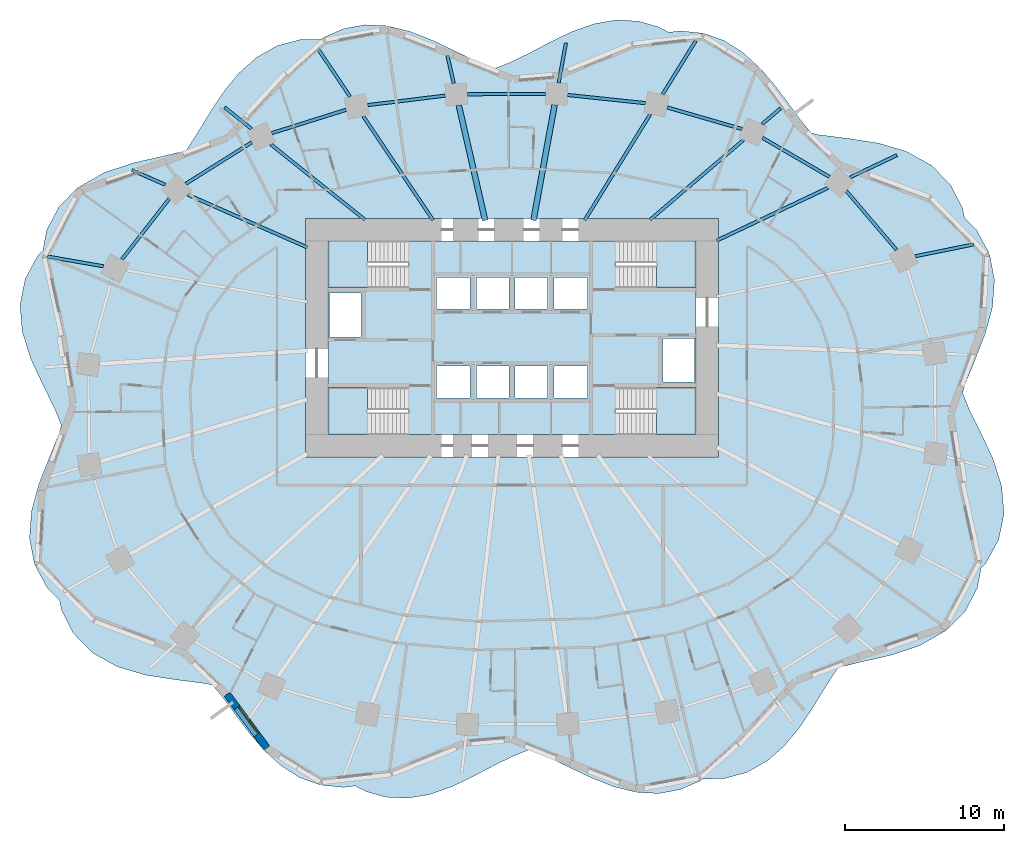
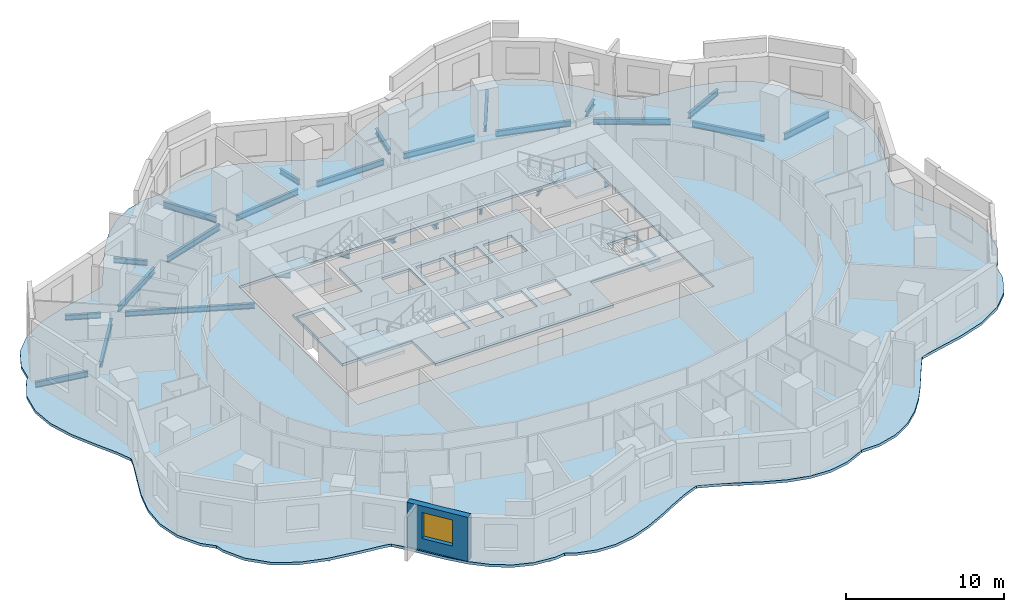
# One storey, part 2 of 11: 27 beams, 6 slabs, 1 wall, 1 window, 1 opening, 4 elements without a shape of their own.
"""IFC4 building model written with IfcOpenShell, lengths in metres."""

from ifc_helpers import new_model, si_unit, direction, frame, frame_2d, origin, origin_2d, place, context, subcontext, project, spatial, polyline, rectangle, i_section, outline, extrude, material, layer, layer_set, material_profile, profile_set, type_object, element, fill, aggregate, save


model = new_model("IFC4")

# Units and contexts
model_context = context("Model", 3, precision=1e-05, world=origin(), true_north=direction((0.0, 1.0)))
body_context = subcontext(model_context, "Body", "Model", "MODEL_VIEW")
ifc_project = project(units=[si_unit("LENGTHUNIT", "METRE"), si_unit("AREAUNIT", "SQUARE_METRE"), si_unit("VOLUMEUNIT", "CUBIC_METRE"), si_unit("PLANEANGLEUNIT", "RADIAN"), si_unit("MASSUNIT", "GRAM", prefix="KILO")], contexts=[model_context])

# Site, building, storey
site_placement = place(None, origin())
site = spatial("IfcSite", under=ifc_project, at=site_placement, CompositionType="ELEMENT")
building_placement = place(site_placement, origin())
building = spatial("IfcBuilding", under=site, at=building_placement, Name="Rubra Terraces Tower", CompositionType="ELEMENT")
storey_placement = place(building_placement, frame((0.0, 0.0, 51.89990234375)))
storey = spatial("IfcBuildingStorey", under=building, at=storey_placement, Name="L10", CompositionType="ELEMENT", Elevation=51.89990234375)

# Beams
ifc_material_1 = material(Name="Steel Q355B", Category="steel")
ifc_material_profile_1 = material_profile(ifc_material_1, i_section(OverallWidth=0.199951171875, OverallDepth=0.39990234375, WebThickness=0.008056640625, FlangeThickness=0.012939453125, at=origin_2d()), Name="HN 400x200x8x13")
ifc_profile_set_1 = profile_set([ifc_material_profile_1], Name="Steel Q355B")
beam_type_1 = type_object("IfcBeamType", Name="CANTILEVER BEAM HN 400x200x8x13", PredefinedType="BEAM", material=ifc_profile_set_1)
beam_1_placement = place(storey_placement, frame((15.7509765625, 17.947998046875, -0.39990234375), z_axis=(0.760484850261, 0.649355674899, 0.0), x_axis=(-0.649355674899, 0.760484850261, 0.0)))
element("IfcBeam", 1, at=beam_1_placement, inside=storey, type_object=beam_type_1, Name="beam-L10-cant-04", PredefinedType="BEAM", context=body_context, shape_type="SweptSolid", body=[
    extrude(i_section(OverallWidth=0.199951171875, OverallDepth=0.39990234375, WebThickness=0.008056640625, FlangeThickness=0.012939453125, at=origin_2d()), origin(), (0.0, 0.0, 1.0), 1.513671875),
])
beam_2_placement = place(storey_placement, frame((2.93798828125, 20.549072265625, -0.39990234375), z_axis=(0.180303125533, 0.983611093331, 0.0), x_axis=(-0.983611093331, 0.180303125533, 0.0)))
element("IfcBeam", 2, at=beam_2_placement, inside=storey, type_object=beam_type_1, Name="beam-L10-cant-06", PredefinedType="BEAM", context=body_context, shape_type="SweptSolid", body=[
    extrude(i_section(OverallWidth=0.199951171875, OverallDepth=0.39990234375, WebThickness=0.008056640625, FlangeThickness=0.012939453125, at=origin_2d()), origin(), (0.0, 0.0, 1.0), 2.545654296875),
])
beam_3_placement = place(storey_placement, frame((-3.6669921875, 20.514892578125, -0.39990234375), z_axis=(-0.223203108367, 0.974771959186, 0.0), x_axis=(-0.974771959186, -0.223203108367, 0.0)))
element("IfcBeam", 3, at=beam_3_placement, inside=storey, type_object=beam_type_1, Name="beam-L10-cant-07", PredefinedType="BEAM", context=body_context, shape_type="SweptSolid", body=[
    extrude(i_section(OverallWidth=0.199951171875, OverallDepth=0.39990234375, WebThickness=0.008056640625, FlangeThickness=0.012939453125, at=origin_2d()), origin(), (0.0, 0.0, 1.0), 1.787353515625),
])
beam_4_placement = place(storey_placement, frame((-16.408935546875, 17.654052734375, -0.39990234375), z_axis=(-0.780327416177, 0.625371188625, 0.0), x_axis=(-0.625371188625, -0.780327416177, 0.0)))
element("IfcBeam", 4, at=beam_4_placement, inside=storey, type_object=beam_type_1, Name="beam-L10-cant-09", PredefinedType="BEAM", context=body_context, shape_type="SweptSolid", body=[
    extrude(i_section(OverallWidth=0.199951171875, OverallDepth=0.39990234375, WebThickness=0.008056640625, FlangeThickness=0.012939453125, at=origin_2d()), origin(), (0.0, 0.0, 1.0), 2.156982421875),
])
beam_5_placement = place(storey_placement, frame((-21.8369140625, 14.1259765625, -0.39990234375), z_axis=(-0.914895766245, 0.403690149629, 0.0), x_axis=(-0.403690149629, -0.914895766245, 0.0)))
element("IfcBeam", 5, at=beam_5_placement, inside=storey, type_object=beam_type_1, Name="beam-L10-cant-10", PredefinedType="BEAM", context=body_context, shape_type="SweptSolid", body=[
    extrude(i_section(OverallWidth=0.199951171875, OverallDepth=0.39990234375, WebThickness=0.008056640625, FlangeThickness=0.012939453125, at=origin_2d()), origin(), (0.0, 0.0, 1.0), 2.28662109375),
])
ifc_material_profile_2 = material_profile(ifc_material_1, i_section(OverallWidth=0.198974609375, OverallDepth=0.446044921875, WebThickness=0.008056640625, FlangeThickness=0.011962890625, at=origin_2d()), Name="HN 446x199x8x12")
ifc_profile_set_2 = profile_set([ifc_material_profile_2], Name="Steel Q355B")
beam_type_2 = type_object("IfcBeamType", Name="CANTILEVER BEAM HN 446x199x8x12", PredefinedType="BEAM", material=ifc_profile_set_2)
beam_6_placement = place(storey_placement, frame((21.2958984375, 14.595947265625, -0.4228515625), z_axis=(0.903635481557, 0.428302365708, 0.0), x_axis=(-0.428302365708, 0.903635481557, 0.0)))
element("IfcBeam", 6, at=beam_6_placement, inside=storey, type_object=beam_type_2, Name="beam-L10-cant-03", PredefinedType="BEAM", context=body_context, shape_type="SweptSolid", body=[
    extrude(i_section(OverallWidth=0.198974609375, OverallDepth=0.446044921875, WebThickness=0.008056640625, FlangeThickness=0.011962890625, at=origin_2d()), origin(), (0.0, 0.0, 1.0), 3.2548828125),
])
beam_7_placement = place(storey_placement, frame((-25.722900390625, 8.991943359375, -0.4228515625), z_axis=(-0.98512271321, 0.171852378274, 0.0), x_axis=(-0.171852378274, -0.98512271321, 0.0)))
element("IfcBeam", 7, at=beam_7_placement, inside=storey, type_object=beam_type_2, Name="beam-L10-cant-11", PredefinedType="BEAM", context=body_context, shape_type="SweptSolid", body=[
    extrude(i_section(OverallWidth=0.198974609375, OverallDepth=0.446044921875, WebThickness=0.008056640625, FlangeThickness=0.011962890625, at=origin_2d()), origin(), (0.0, 0.0, 1.0), 3.567138671875),
])
ifc_material_profile_3 = material_profile(ifc_material_1, i_section(OverallWidth=0.198974609375, OverallDepth=0.49609375, WebThickness=0.009033203125, FlangeThickness=0.013916015625, at=origin_2d()), Name="HN 496x199x9x14")
ifc_profile_set_3 = profile_set([ifc_material_profile_3], Name="Steel Q355B")
beam_type_3 = type_object("IfcBeamType", Name="CANTILEVER BEAM HN 496x199x9x14", PredefinedType="BEAM", material=ifc_profile_set_3)
beam_8_placement = place(storey_placement, frame((25.39599609375, 9.6279296875, -0.447998046875), z_axis=(0.980177704415, 0.198120336582, 0.0), x_axis=(-0.198120336582, 0.980177704415, 0.0)))
element("IfcBeam", 8, at=beam_8_placement, inside=storey, type_object=beam_type_3, Name="beam-L10-cant-02", PredefinedType="BEAM", context=body_context, shape_type="SweptSolid", body=[
    extrude(i_section(OverallWidth=0.198974609375, OverallDepth=0.49609375, WebThickness=0.009033203125, FlangeThickness=0.013916015625, at=origin_2d()), origin(), (0.0, 0.0, 1.0), 3.770751953125),
])
beam_9_placement = place(storey_placement, frame((9.488037109375, 19.827880859375, -0.447998046875), z_axis=(0.526262905652, 0.850321912063, 0.0), x_axis=(-0.850321912063, 0.526262905652, 0.0)))
element("IfcBeam", 9, at=beam_9_placement, inside=storey, type_object=beam_type_3, Name="beam-L10-cant-05", PredefinedType="BEAM", context=body_context, shape_type="SweptSolid", body=[
    extrude(i_section(OverallWidth=0.198974609375, OverallDepth=0.49609375, WebThickness=0.009033203125, FlangeThickness=0.013916015625, at=origin_2d()), origin(), (0.0, 0.0, 1.0), 3.94091796875),
])
beam_10_placement = place(storey_placement, frame((-10.199951171875, 19.68310546875, -0.447998046875), z_axis=(-0.557568984544, 0.830130608684, 0.0), x_axis=(-0.830130608684, -0.557568984544, 0.0)))
element("IfcBeam", 10, at=beam_10_placement, inside=storey, type_object=beam_type_3, Name="beam-L10-cant-08", PredefinedType="BEAM", context=body_context, shape_type="SweptSolid", body=[
    extrude(i_section(OverallWidth=0.198974609375, OverallDepth=0.49609375, WebThickness=0.009033203125, FlangeThickness=0.013916015625, at=origin_2d()), origin(), (0.0, 0.0, 1.0), 3.72705078125),
])
ifc_material_profile_4 = material_profile(ifc_material_1, i_section(OverallWidth=0.199951171875, OverallDepth=0.39990234375, WebThickness=0.008056640625, FlangeThickness=0.012939453125, at=origin_2d()), Name="HN 400x200x8x13")
ifc_profile_set_4 = profile_set([ifc_material_profile_4], Name="Steel Q355B")
beam_type_4 = type_object("IfcBeamType", Name="FLOOR BEAM HN 400x200x8x13", PredefinedType="BEAM", material=ifc_profile_set_4)
beam_11_placement = place(storey_placement, frame((19.904052734375, 13.93603515625, -0.39990234375), z_axis=(-0.903612237836, -0.428351402045, 0.0), x_axis=(0.428351402045, -0.903612237836, 0.0)))
element("IfcBeam", 11, at=beam_11_placement, inside=storey, type_object=beam_type_4, Name="beam-L10-floor-03", PredefinedType="BEAM", context=body_context, shape_type="SweptSolid", body=[
    extrude(i_section(OverallWidth=0.199951171875, OverallDepth=0.39990234375, WebThickness=0.008056640625, FlangeThickness=0.012939453125, at=origin_2d()), origin(), (0.0, 0.0, 1.0), 7.760009765625),
])
beam_12_placement = place(storey_placement, frame((14.56298828125, 16.93408203125, -0.39990234375), z_axis=(-0.760494401061, -0.649344489431, 0.0), x_axis=(0.649344489431, -0.760494401061, 0.0)))
element("IfcBeam", 12, at=beam_12_placement, inside=storey, type_object=beam_type_4, Name="beam-L10-floor-04", PredefinedType="BEAM", context=body_context, shape_type="SweptSolid", body=[
    extrude(i_section(OverallWidth=0.199951171875, OverallDepth=0.39990234375, WebThickness=0.008056640625, FlangeThickness=0.012939453125, at=origin_2d()), origin(), (0.0, 0.0, 1.0), 7.718505859375),
])
beam_13_placement = place(storey_placement, frame((8.699951171875, 18.555908203125, -0.39990234375), z_axis=(-0.526285914839, -0.850307671283, 0.0), x_axis=(0.850307671283, -0.526285914839, 0.0)))
element("IfcBeam", 13, at=beam_13_placement, inside=storey, type_object=beam_type_4, Name="beam-L10-floor-05", PredefinedType="BEAM", context=body_context, shape_type="SweptSolid", body=[
    extrude(i_section(OverallWidth=0.199951171875, OverallDepth=0.39990234375, WebThickness=0.008056640625, FlangeThickness=0.012939453125, at=origin_2d()), origin(), (0.0, 0.0, 1.0), 7.830078125),
])
beam_14_placement = place(storey_placement, frame((-9.360107421875, 18.43310546875, -0.39990234375), z_axis=(0.557574689395, -0.830126776912, 0.0), x_axis=(0.830126776912, 0.557574689395, 0.0)))
element("IfcBeam", 14, at=beam_14_placement, inside=storey, type_object=beam_type_4, Name="beam-L10-floor-08", PredefinedType="BEAM", context=body_context, shape_type="SweptSolid", body=[
    extrude(i_section(OverallWidth=0.199951171875, OverallDepth=0.39990234375, WebThickness=0.008056640625, FlangeThickness=0.012939453125, at=origin_2d()), origin(), (0.0, 0.0, 1.0), 7.8701171875),
])
beam_15_placement = place(storey_placement, frame((-15.18896484375, 16.676025390625, -0.39990234375), z_axis=(0.780266406942, -0.625447307291, 0.0), x_axis=(0.625447307291, 0.780266406942, 0.0)))
element("IfcBeam", 15, at=beam_15_placement, inside=storey, type_object=beam_type_4, Name="beam-L10-floor-09", PredefinedType="BEAM", context=body_context, shape_type="SweptSolid", body=[
    extrude(i_section(OverallWidth=0.199951171875, OverallDepth=0.39990234375, WebThickness=0.008056640625, FlangeThickness=0.012939453125, at=origin_2d()), origin(), (0.0, 0.0, 1.0), 7.59619140625),
])
beam_16_placement = place(storey_placement, frame((-20.43310546875, 13.508056640625, -0.39990234375), z_axis=(0.914994662209, -0.4034659442, 0.0), x_axis=(0.4034659442, 0.914994662209, 0.0)))
element("IfcBeam", 16, at=beam_16_placement, inside=storey, type_object=beam_type_4, Name="beam-L10-floor-10", PredefinedType="BEAM", context=body_context, shape_type="SweptSolid", body=[
    extrude(i_section(OverallWidth=0.199951171875, OverallDepth=0.39990234375, WebThickness=0.008056640625, FlangeThickness=0.012939453125, at=origin_2d()), origin(), (0.0, 0.0, 1.0), 8.243896484375),
])
ifc_material_profile_5 = material_profile(ifc_material_1, i_section(OverallWidth=0.35009765625, OverallDepth=0.35009765625, WebThickness=0.011962890625, FlangeThickness=0.01904296875, at=origin_2d()), Name="HW 350x350x12x19")
ifc_profile_set_5 = profile_set([ifc_material_profile_5], Name="Steel Q355B")
beam_type_5 = type_object("IfcBeamType", Name="FLOOR BEAM HW 350x350x12x19", PredefinedType="BEAM", material=ifc_profile_set_5)
beam_17_placement = place(storey_placement, frame((2.68408203125, 19.158935546875, -0.375), z_axis=(-0.180186319425, -0.983632497578, 0.0), x_axis=(0.983632497578, -0.180186319425, 0.0)))
element("IfcBeam", 17, at=beam_17_placement, inside=storey, type_object=beam_type_5, Name="beam-L10-floor-06", PredefinedType="BEAM", context=body_context, shape_type="SweptSolid", body=[
    extrude(i_section(OverallWidth=0.35009765625, OverallDepth=0.35009765625, WebThickness=0.011962890625, FlangeThickness=0.01904296875, at=origin_2d()), origin(), (0.0, 0.0, 1.0), 7.39794921875),
])
beam_18_placement = place(storey_placement, frame((-3.35107421875, 19.133056640625, -0.375), z_axis=(0.223209821828, -0.974770421914, 0.0), x_axis=(0.974770421914, 0.223209821828, 0.0)))
element("IfcBeam", 18, at=beam_18_placement, inside=storey, type_object=beam_type_5, Name="beam-L10-floor-07", PredefinedType="BEAM", context=body_context, shape_type="SweptSolid", body=[
    extrude(i_section(OverallWidth=0.35009765625, OverallDepth=0.35009765625, WebThickness=0.011962890625, FlangeThickness=0.01904296875, at=origin_2d()), origin(), (0.0, 0.0, 1.0), 7.437744140625),
])
ifc_material_profile_6 = material_profile(ifc_material_1, i_section(OverallWidth=0.198974609375, OverallDepth=0.446044921875, WebThickness=0.008056640625, FlangeThickness=0.011962890625, at=origin_2d()), Name="HN 446x199x8x12")
ifc_profile_set_6 = profile_set([ifc_material_profile_6], Name="Steel Q355B")
beam_type_6 = type_object("IfcBeamType", Name="SPANDREL BEAM HN 446x199x8x12", PredefinedType="SPANDREL", material=ifc_profile_set_6)
beam_19_placement = place(storey_placement, frame((24.212890625, 10.02587890625, -0.4228515625), z_axis=(-0.648447050824, 0.761259760054, 0.0), x_axis=(-0.761259760054, -0.648447050824, 0.0)))
element("IfcBeam", 19, at=beam_19_placement, inside=storey, type_object=beam_type_6, Name="beam-L10-spandrel-02", PredefinedType="SPANDREL", context=body_context, shape_type="SweptSolid", body=[
    extrude(i_section(OverallWidth=0.198974609375, OverallDepth=0.446044921875, WebThickness=0.008056640625, FlangeThickness=0.011962890625, at=origin_2d()), origin(), (0.0, 0.0, 1.0), 4.860595703125),
])
beam_20_placement = place(storey_placement, frame((19.987060546875, 14.6240234375, -0.4228515625), z_axis=(-0.863806081452, 0.503824427402, 0.0), x_axis=(-0.503824427402, -0.863806081452, 0.0)))
element("IfcBeam", 20, at=beam_20_placement, inside=storey, type_object=beam_type_6, Name="beam-L10-spandrel-03", PredefinedType="SPANDREL", context=body_context, shape_type="SweptSolid", body=[
    extrude(i_section(OverallWidth=0.198974609375, OverallDepth=0.446044921875, WebThickness=0.008056640625, FlangeThickness=0.011962890625, at=origin_2d()), origin(), (0.0, 0.0, 1.0), 4.886474609375),
])
beam_21_placement = place(storey_placement, frame((14.47900390625, 17.636962890625, -0.4228515625), z_axis=(-0.960743980202, 0.277436487337, 0.0), x_axis=(-0.277436487337, -0.960743980202, 0.0)))
element("IfcBeam", 21, at=beam_21_placement, inside=storey, type_object=beam_type_6, Name="beam-L10-spandrel-04", PredefinedType="SPANDREL", context=body_context, shape_type="SweptSolid", body=[
    extrude(i_section(OverallWidth=0.198974609375, OverallDepth=0.446044921875, WebThickness=0.008056640625, FlangeThickness=0.011962890625, at=origin_2d()), origin(), (0.0, 0.0, 1.0), 4.90234375),
])
beam_22_placement = place(storey_placement, frame((8.39501953125, 19.26611328125, -0.4228515625), z_axis=(-0.994495375694, 0.104780473964, 0.0), x_axis=(-0.104780473964, -0.994495375694, 0.0)))
element("IfcBeam", 22, at=beam_22_placement, inside=storey, type_object=beam_type_6, Name="beam-L10-spandrel-05", PredefinedType="SPANDREL", context=body_context, shape_type="SweptSolid", body=[
    extrude(i_section(OverallWidth=0.198974609375, OverallDepth=0.446044921875, WebThickness=0.008056640625, FlangeThickness=0.011962890625, at=origin_2d()), origin(), (0.0, 0.0, 1.0), 4.9140625),
])
beam_23_placement = place(storey_placement, frame((2.110107421875, 19.85107421875, -0.4228515625), z_axis=(-0.999987924698, -0.004914311469, 0.0), x_axis=(0.004914311469, -0.999987924698, 0.0)))
element("IfcBeam", 23, at=beam_23_placement, inside=storey, type_object=beam_type_6, Name="beam-L10-spandrel-06", PredefinedType="SPANDREL", context=body_context, shape_type="SweptSolid", body=[
    extrude(i_section(OverallWidth=0.198974609375, OverallDepth=0.446044921875, WebThickness=0.008056640625, FlangeThickness=0.011962890625, at=origin_2d()), origin(), (0.0, 0.0, 1.0), 4.918212890625),
])
beam_24_placement = place(storey_placement, frame((-4.205078125, 19.739013671875, -0.4228515625), z_axis=(-0.992616576014, -0.12129440639, 0.0), x_axis=(0.12129440639, -0.992616576014, 0.0)))
element("IfcBeam", 24, at=beam_24_placement, inside=storey, type_object=beam_type_6, Name="beam-L10-spandrel-07", PredefinedType="SPANDREL", context=body_context, shape_type="SweptSolid", body=[
    extrude(i_section(OverallWidth=0.198974609375, OverallDepth=0.446044921875, WebThickness=0.008056640625, FlangeThickness=0.011962890625, at=origin_2d()), origin(), (0.0, 0.0, 1.0), 4.913330078125),
])
beam_25_placement = place(storey_placement, frame((-10.450927734375, 18.846923828125, -0.4228515625), z_axis=(-0.953954624663, -0.299950952796, 0.0), x_axis=(0.299950952796, -0.953954624663, 0.0)))
element("IfcBeam", 25, at=beam_25_placement, inside=storey, type_object=beam_type_6, Name="beam-L10-spandrel-08", PredefinedType="SPANDREL", context=body_context, shape_type="SweptSolid", body=[
    extrude(i_section(OverallWidth=0.198974609375, OverallDepth=0.446044921875, WebThickness=0.008056640625, FlangeThickness=0.011962890625, at=origin_2d()), origin(), (0.0, 0.0, 1.0), 4.900634765625),
])
beam_26_placement = place(storey_placement, frame((-16.39697265625, 16.7900390625, -0.4228515625), z_axis=(-0.847078460197, -0.531467856291, 0.0), x_axis=(0.531467856291, -0.847078460197, 0.0)))
element("IfcBeam", 26, at=beam_26_placement, inside=storey, type_object=beam_type_6, Name="beam-L10-spandrel-09", PredefinedType="SPANDREL", context=body_context, shape_type="SweptSolid", body=[
    extrude(i_section(OverallWidth=0.198974609375, OverallDepth=0.446044921875, WebThickness=0.008056640625, FlangeThickness=0.011962890625, at=origin_2d()), origin(), (0.0, 0.0, 1.0), 4.882568359375),
])
beam_27_placement = place(storey_placement, frame((-21.572998046875, 13.257080078125, -0.4228515625), z_axis=(-0.615577734286, -0.788076172112, 0.0), x_axis=(0.788076172112, -0.615577734286, 0.0)))
element("IfcBeam", 27, at=beam_27_placement, inside=storey, type_object=beam_type_6, Name="beam-L10-spandrel-10", PredefinedType="SPANDREL", context=body_context, shape_type="SweptSolid", body=[
    extrude(i_section(OverallWidth=0.198974609375, OverallDepth=0.446044921875, WebThickness=0.008056640625, FlangeThickness=0.011962890625, at=origin_2d()), origin(), (0.0, 0.0, 1.0), 4.85888671875),
])

# Slab
ifc_material_2 = material(Name="Concrete C40", Category="concrete")
ifc_layer_1 = layer(ifc_material_2, 0.199951171875)
ifc_layer_set_1 = layer_set([ifc_layer_1], Name="Concrete C40")
slab_type_1 = type_object("IfcSlabType", Name="Core floor slab 200 concrete", PredefinedType="FLOOR", material=ifc_layer_set_1)
slab_1_placement = place(storey_placement, frame((0.0, 0.0, -0.199951171875)))
element("IfcSlab", 28, at=slab_1_placement, inside=storey, type_object=slab_type_1, Name="CORE FLOOR SLAB L10", PredefinedType="FLOOR", context=body_context, shape_type="SweptSolid", body=[
    extrude(outline(polyline([(-11.60009765625, 1.347900390625), (-11.60009765625, 7.652099609375), (-6.501953125, 7.652099609375), (-6.501953125, 10.60009765625), (6.501953125, 10.60009765625), (6.501953125, 7.652099609375), (11.60009765625, 7.652099609375), (11.60009765625, 1.347900390625), (6.501953125, 1.347900390625), (6.501953125, -1.60009765625), (-6.501953125, -1.60009765625), (-6.501953125, 1.347900390625), (-11.60009765625, 1.347900390625)]), holes=[polyline([(9.5, 1.699951171875), (11.5, 1.699951171875), (11.5, 4.449951171875), (9.5, 4.449951171875), (9.5, 1.699951171875)]), polyline([(4.75, 0.699951171875), (4.75, 2.699951171875), (2.64990234375, 2.699951171875), (2.64990234375, 0.699951171875), (4.75, 0.699951171875)]), polyline([(4.75, 6.300048828125), (4.75, 8.300048828125), (2.64990234375, 8.300048828125), (2.64990234375, 6.300048828125), (4.75, 6.300048828125)]), polyline([(2.25, 0.699951171875), (2.25, 2.699951171875), (0.199951171875, 2.699951171875), (0.199951171875, 0.699951171875), (2.25, 0.699951171875)]), polyline([(2.25, 6.300048828125), (2.25, 8.300048828125), (0.199951171875, 8.300048828125), (0.199951171875, 6.300048828125), (2.25, 6.300048828125)]), polyline([(-0.199951171875, 0.699951171875), (-0.199951171875, 2.699951171875), (-2.25, 2.699951171875), (-2.25, 0.699951171875), (-0.199951171875, 0.699951171875)]), polyline([(-0.199951171875, 6.300048828125), (-0.199951171875, 8.300048828125), (-2.25, 8.300048828125), (-2.25, 6.300048828125), (-0.199951171875, 6.300048828125)]), polyline([(-2.64990234375, 0.699951171875), (-2.64990234375, 2.699951171875), (-4.75, 2.699951171875), (-4.75, 0.699951171875), (-2.64990234375, 0.699951171875)]), polyline([(-2.64990234375, 8.300048828125), (-4.75, 8.300048828125), (-4.75, 6.300048828125), (-2.64990234375, 6.300048828125), (-2.64990234375, 8.300048828125)]), polyline([(-9.5, 7.300048828125), (-11.5, 7.300048828125), (-11.5, 4.550048828125), (-9.5, 4.550048828125), (-9.5, 7.300048828125)])]), origin(), (0.0, 0.0, 1.0), 0.199951171875),
])

# Stair, slab
stair_type = type_object("IfcStairType", Name="Core stair 1400", PredefinedType="HALF_TURN_STAIR", material=ifc_material_2)
stair_1_placement = place(storey_placement, origin())
stair_1 = element("IfcStair", 29, at=stair_1_placement, inside=storey, type_object=stair_type, Name="L10 Exit stair S1", PredefinedType="HALF_TURN_STAIR")
ifc_layer_2 = layer(ifc_material_2, 0.199951171875)
ifc_layer_set_2 = layer_set([ifc_layer_2], Name="Concrete C40")
slab_type_2 = type_object("IfcSlabType", Name="Core stair landing 200", PredefinedType="LANDING", material=ifc_layer_set_2)
slab_2_placement = place(storey_placement, frame((0.0, 0.0, 1.60009765625)))
slab_2 = element("IfcSlab", 30, at=slab_2_placement, type_object=slab_type_2, Name="S1 landing 1", PredefinedType="LANDING", context=body_context, shape_type="SweptSolid", body=[
    extrude(outline(polyline([(-8.719970703125, -0.199951171875), (-8.719970703125, -1.60009765625), (-9.10009765625, -1.60009765625), (-9.1201171875, -1.60009765625), (-11.60009765625, -1.60009765625), (-11.60009765625, 1.35009765625), (-9.1201171875, 1.35009765625), (-9.097900390625, 1.35009765625), (-9.097900390625, -0.050048828125), (-9.10009765625, -0.050048828125), (-9.10009765625, -0.199951171875), (-8.719970703125, -0.199951171875)])), origin(), (0.0, 0.0, 1.0), 0.199951171875),
])
aggregate(stair_1, [slab_2])

stair_2_placement = place(storey_placement, origin())
stair_2 = element("IfcStair", 31, at=stair_2_placement, inside=storey, type_object=stair_type, Name="L10 Exit stair S2", PredefinedType="HALF_TURN_STAIR")
slab_3_placement = place(storey_placement, frame((0.0, 0.0, 1.60009765625)))
slab_3 = element("IfcSlab", 32, at=slab_3_placement, type_object=slab_type_2, Name="S2 landing 1", PredefinedType="LANDING", context=body_context, shape_type="SweptSolid", body=[
    extrude(outline(polyline([(-8.719970703125, 9.050048828125), (-8.719970703125, 7.64990234375), (-9.1201171875, 7.64990234375), (-11.60009765625, 7.64990234375), (-11.60009765625, 10.60009765625), (-9.1201171875, 10.60009765625), (-9.10009765625, 10.60009765625), (-9.097900390625, 10.60009765625), (-9.097900390625, 9.199951171875), (-9.10009765625, 9.199951171875), (-9.10009765625, 9.050048828125), (-8.719970703125, 9.050048828125)])), origin(), (0.0, 0.0, 1.0), 0.199951171875),
])
aggregate(stair_2, [slab_3])

stair_3_placement = place(storey_placement, origin())
stair_3 = element("IfcStair", 33, at=stair_3_placement, inside=storey, type_object=stair_type, Name="L10 Exit stair S3", PredefinedType="HALF_TURN_STAIR")
slab_4_placement = place(storey_placement, frame((0.0, 0.0, 1.60009765625)))
slab_4 = element("IfcSlab", 34, at=slab_4_placement, type_object=slab_type_2, Name="S3 landing 1", PredefinedType="LANDING", context=body_context, shape_type="SweptSolid", body=[
    extrude(outline(polyline([(9.10009765625, 9.050048828125), (9.10009765625, 9.199951171875), (8.719970703125, 9.199951171875), (8.719970703125, 10.60009765625), (9.10009765625, 10.60009765625), (9.1201171875, 10.60009765625), (11.60009765625, 10.60009765625), (11.60009765625, 7.64990234375), (9.1201171875, 7.64990234375), (9.097900390625, 7.64990234375), (9.097900390625, 9.050048828125), (9.10009765625, 9.050048828125)])), origin(), (0.0, 0.0, 1.0), 0.199951171875),
])
aggregate(stair_3, [slab_4])

stair_4_placement = place(storey_placement, origin())
stair_4 = element("IfcStair", 35, at=stair_4_placement, inside=storey, type_object=stair_type, Name="L10 Exit stair S4", PredefinedType="HALF_TURN_STAIR")
slab_5_placement = place(storey_placement, frame((0.0, 0.0, 1.60009765625)))
slab_5 = element("IfcSlab", 36, at=slab_5_placement, type_object=slab_type_2, Name="S4 landing 1", PredefinedType="LANDING", context=body_context, shape_type="SweptSolid", body=[
    extrude(outline(polyline([(9.10009765625, -0.199951171875), (9.10009765625, -0.050048828125), (8.719970703125, -0.050048828125), (8.719970703125, 1.35009765625), (9.10009765625, 1.35009765625), (9.1201171875, 1.35009765625), (11.60009765625, 1.35009765625), (11.60009765625, -1.60009765625), (9.1201171875, -1.60009765625), (9.10009765625, -1.60009765625), (9.097900390625, -1.60009765625), (9.097900390625, -0.199951171875), (9.10009765625, -0.199951171875)])), origin(), (0.0, 0.0, 1.0), 0.199951171875),
])
aggregate(stair_4, [slab_5])

# Slab
ifc_layer_3 = layer(ifc_material_2, 0.199951171875)
ifc_layer_set_3 = layer_set([ifc_layer_3], Name="Concrete C40")
slab_type_3 = type_object("IfcSlabType", Name="FLOOR SLAB 200 COMPOSITE", PredefinedType="FLOOR", material=ifc_layer_set_3)
slab_6_placement = place(storey_placement, frame((0.0, 0.0, -0.199951171875)))
element("IfcSlab", 37, at=slab_6_placement, inside=storey, type_object=slab_type_3, Name="FLOOR SLAB L10", PredefinedType="FLOOR", context=body_context, shape_type="SweptSolid", body=[
    extrude(outline(polyline([(-3.763916015625, -23.76708984375), (-2.487060546875, -23.156982421875), (-1.235107421875, -22.4970703125), (0.0, -21.883056640625), (1.048095703125, -21.465087890625), (1.178955078125, -21.4990234375), (2.364013671875, -21.970947265625), (3.570068359375, -22.5419921875), (4.967041015625, -23.20703125), (6.39599609375, -23.77490234375), (7.842041015625, -24.135986328125), (9.25, -24.2060546875), (10.616943359375, -23.952880859375), (11.9130859375, -23.3798828125), (12.050048828125, -23.284912109375), (13.365966796875, -23.261962890625), (14.7890625, -22.881103515625), (16.090087890625, -22.14599609375), (17.14599609375, -21.2109375), (18.073974609375, -20.095947265625), (18.889892578125, -18.889892578125), (19.669921875, -17.614990234375), (20.423095703125, -16.43505859375), (20.5390625, -16.284912109375), (20.35009765625, -16.33203125), (21.93505859375, -15.93701171875), (23.787109375, -15.51806640625), (25.658935546875, -14.903076171875), (27.35205078125, -13.93603515625), (28.528076171875, -12.748046875), (29.297119140625, -11.279052734375), (29.5458984375, -9.993896484375), (29.841064453125, -9.696044921875), (30.64990234375, -8.218994140625), (30.97998046875, -6.58203125), (30.841064453125, -4.885009765625), (30.30810546875, -3.175048828125), (29.552978515625, -1.550048828125), (28.782958984375, 0.0), (28.37890625, 1.02490234375), (28.514892578125, 1.511962890625), (29.14208984375, 3.06689453125), (29.79296875, 4.718994140625), (30.2548828125, 6.406005859375), (30.383056640625, 8.1220703125), (30.070068359375, 9.77001953125), (29.2490234375, 11.2939453125), (28.493896484375, 12.0380859375), (28.3720703125, 12.64111328125), (27.64599609375, 14.0859375), (26.4150390625, 15.35400390625), (24.833984375, 16.23095703125), (23.056884765625, 16.751953125), (21.12109375, 17.048095703125), (19.299072265625, 17.281982421875), (18.844970703125, 17.388916015625), (18.18896484375, 18.18896484375), (17.389892578125, 19.279052734375), (16.541015625, 20.406005859375), (15.610107421875, 21.485107421875), (14.533935546875, 22.464111328125), (13.345947265625, 23.2119140625), (12.06103515625, 23.6708984375), (10.575927734375, 23.819091796875), (9.873046875, 23.72705078125), (9.197998046875, 24.075927734375), (7.93896484375, 24.43408203125), (6.554931640625, 24.501953125), (5.155029296875, 24.260986328125), (3.763916015625, 23.76708984375), (2.487060546875, 23.156982421875), (1.235107421875, 22.4970703125), (0.0, 21.883056640625), (-1.048095703125, 21.465087890625), (-1.178955078125, 21.4990234375), (-2.364013671875, 21.970947265625), (-3.570068359375, 22.5419921875), (-4.967041015625, 23.20703125), (-6.39599609375, 23.77490234375), (-7.842041015625, 24.135986328125), (-9.25, 24.2060546875), (-10.616943359375, 23.952880859375), (-11.9130859375, 23.3798828125), (-12.050048828125, 23.284912109375), (-13.365966796875, 23.261962890625), (-14.7890625, 22.881103515625), (-16.090087890625, 22.14599609375), (-17.14599609375, 21.2109375), (-18.073974609375, 20.095947265625), (-18.889892578125, 18.889892578125), (-19.669921875, 17.614990234375), (-20.423095703125, 16.43505859375), (-20.5390625, 16.284912109375), (-20.35009765625, 16.33203125), (-21.93505859375, 15.93701171875), (-23.787109375, 15.51806640625), (-25.658935546875, 14.903076171875), (-27.35205078125, 13.93603515625), (-28.528076171875, 12.748046875), (-29.297119140625, 11.279052734375), (-29.5458984375, 9.993896484375), (-29.841064453125, 9.696044921875), (-30.64990234375, 8.218994140625), (-30.97998046875, 6.58203125), (-30.841064453125, 4.885009765625), (-30.30810546875, 3.175048828125), (-29.552978515625, 1.550048828125), (-28.782958984375, 0.0), (-28.37890625, -1.02490234375), (-28.514892578125, -1.511962890625), (-29.14208984375, -3.06689453125), (-29.79296875, -4.718994140625), (-30.2548828125, -6.406005859375), (-30.383056640625, -8.1220703125), (-30.070068359375, -9.77001953125), (-29.2490234375, -11.2939453125), (-28.493896484375, -12.0380859375), (-28.3720703125, -12.64111328125), (-27.64599609375, -14.0859375), (-26.4150390625, -15.35400390625), (-24.833984375, -16.23095703125), (-23.056884765625, -16.751953125), (-21.12109375, -17.048095703125), (-19.299072265625, -17.281982421875), (-18.844970703125, -17.388916015625), (-18.18896484375, -18.18896484375), (-17.389892578125, -19.279052734375), (-16.541015625, -20.406005859375), (-15.610107421875, -21.485107421875), (-14.533935546875, -22.464111328125), (-13.345947265625, -23.2119140625), (-12.06103515625, -23.6708984375), (-10.575927734375, -23.819091796875), (-9.873046875, -23.72705078125), (-9.197998046875, -24.075927734375), (-7.93896484375, -24.43408203125), (-6.554931640625, -24.501953125), (-5.155029296875, -24.260986328125), (-3.763916015625, -23.76708984375)]), holes=[polyline([(13.0, 12.0), (13.0, -3.0), (-13.0, -3.0), (-13.0, 12.0), (13.0, 12.0)])]), origin(), (0.0, 0.0, 1.0), 0.199951171875),
])

# Wall, opening, window
ifc_material_3 = material(Name="Brick masonry red-brown", Category="masonry")
ifc_layer_4 = layer(ifc_material_3, 0.449951171875)
ifc_layer_set_4 = layer_set([ifc_layer_4], Name="Brick masonry red-brown")
wall_type = type_object("IfcWallType", Name="Brick facade wall 450", PredefinedType="SOLIDWALL", material=ifc_layer_set_4)
wall_placement = place(storey_placement, frame((-17.933837890625, -17.964111328125, 0.0), z_axis=(0.0, 0.0, 1.0), x_axis=(0.594544447368, -0.804062746372, 0.0)))
wall = element("IfcWall", 38, at=wall_placement, inside=storey, type_object=wall_type, Name="Facade wall L10 bay 26", PredefinedType="SOLIDWALL", context=body_context, shape_type="SweptSolid", body=[
    extrude(rectangle(XDim=4.20654296875, YDim=0.449951171875, at=frame_2d((2.103271484375, 0.0))), origin(), (0.0, 0.0, 1.0), 3.400146484375),
])
opening_placement = place(wall_placement, frame((1.05322265625, 0.0, 0.89990234375)))
opening = element("IfcOpeningElement", 39, at=opening_placement, cuts=wall, Name="Opening W1", PredefinedType="OPENING", context=body_context, shape_type="SweptSolid", body=[
    extrude(rectangle(XDim=2.10009765625, YDim=2.0, at=frame_2d((1.050048828125, 1.0))), frame((0.0, 0.23486328125, 0.0), z_axis=(0.0, -1.0, 0.0), x_axis=(1.0, 0.0, 0.0)), (0.0, 0.0, 1.0), 0.469970703125),
])
ifc_material_4 = material(Name="Clear glass in aluminium frame", Category="aluminium")
window_type = type_object("IfcWindowType", Name="Fixed deep-set window 2100 x 2000", PartitioningType="SINGLE_PANEL", PredefinedType="WINDOW", material=ifc_material_4)
window_placement = place(opening_placement, origin())
window = element("IfcWindow", 40, at=window_placement, inside=storey, type_object=window_type, Name="Window L10 bay 26", OverallHeight=2.0, OverallWidth=2.10009765625, PartitioningType="SINGLE_PANEL", PredefinedType="WINDOW", context=body_context, shape_type="SweptSolid", body=[
    extrude(rectangle(XDim=2.10009765625, YDim=2.0, at=frame_2d((1.050048828125, 1.0))), frame((0.0, 0.135009765625, 0.0), z_axis=(0.0, -1.0, 0.0), x_axis=(1.0, 0.0, 0.0)), (0.0, 0.0, 1.0), 0.06005859375),
])
fill(opening, window)

save(model, "model.ifc")
